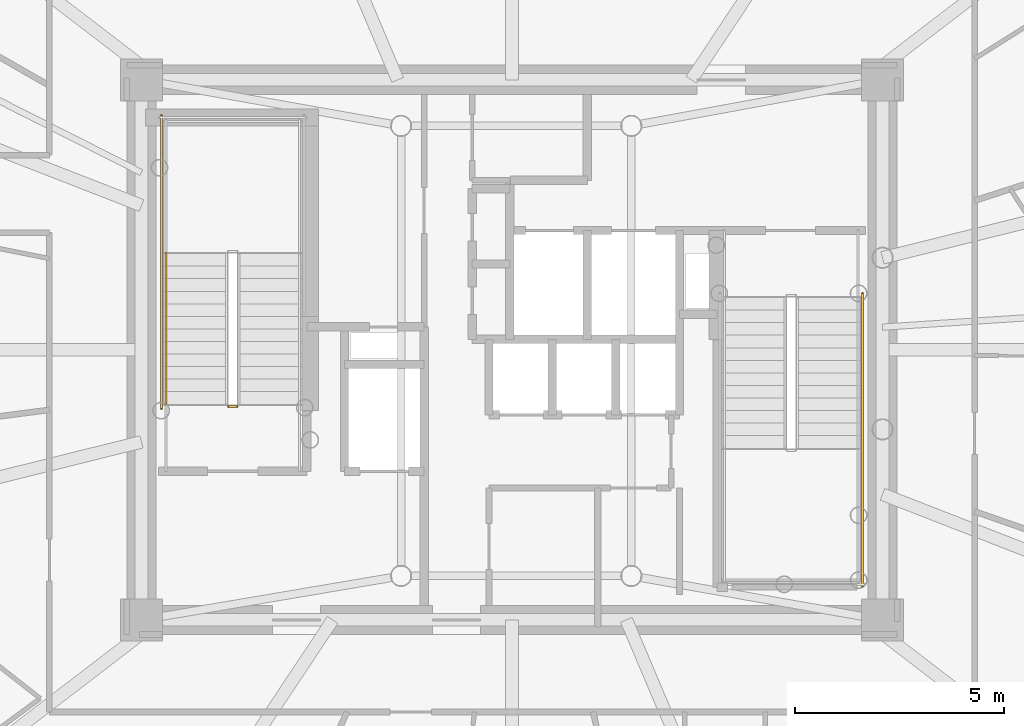
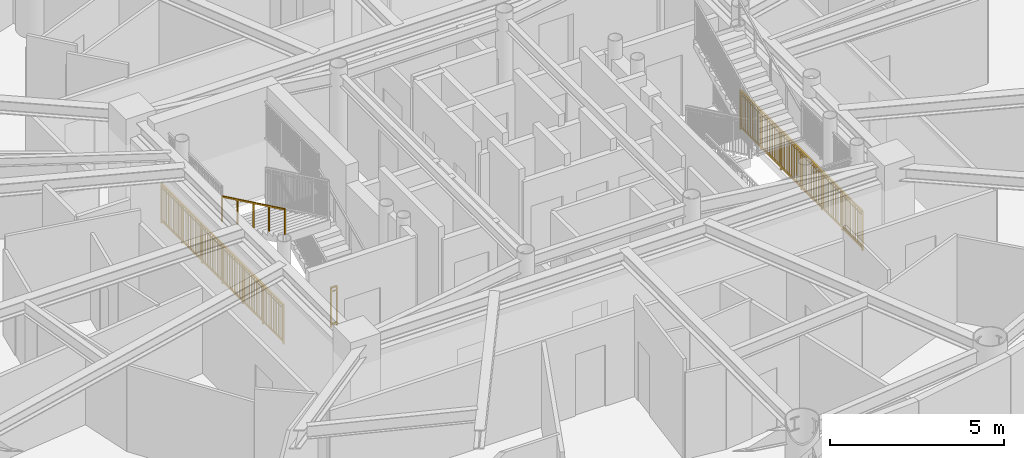
# One storey, part 13 of 18: 4 railings.
"""IFC4 building model written with IfcOpenShell, lengths in metres."""

import ifcopenshell
import ifcopenshell.guid

model = None  # the IFC model being written
_history = None  # IfcOwnerHistory: only IFC2X3 demands one
_inside = {}  # id of a spatial element -> (the spatial element, [elements in it])
_under = {}  # id of a project, library or spatial element -> (it, [spatial elements below it])
_declared = {}  # id of a project -> (the project, [libraries it declares])
_typed = {}  # id of a type object -> (the type object, [elements of that type])
_made_of = {}  # id of a material, layer set ... -> (it, [elements and type objects made of it])


def new_model(schema):
    """Start an empty IFC model of exactly this schema.

    Asked for "IFC4X3", IfcOpenShell would pick the latest addendum, in which some entities
    have other attributes; the version numbers below select the first issue.
    IFC2X3 requires an IfcOwnerHistory on every rooted entity: one is made here for all.
    """
    global model, _history
    if schema == "IFC4X3":
        model = ifcopenshell.file(schema_version=(4, 3, 0, 0))
    else:
        model = ifcopenshell.file(schema=schema)
    _inside.clear()
    _under.clear()
    _declared.clear()
    _typed.clear()
    _made_of.clear()
    _history = None
    if model.schema == "IFC2X3":
        org = make("IfcOrganization", Name="unknown")
        user = make(
            "IfcPersonAndOrganization",
            ThePerson=make("IfcPerson", FamilyName="unknown"),
            TheOrganization=org,
        )
        app = make(
            "IfcApplication",
            ApplicationDeveloper=org,
            Version="unknown",
            ApplicationFullName="unknown",
            ApplicationIdentifier="unknown",
        )
        _history = make(
            "IfcOwnerHistory",
            OwningUser=user,
            OwningApplication=app,
            ChangeAction="ADDED",
            CreationDate=0,
        )
    return model


def make(cls, **values):
    """One entity of the class cls with the attributes given. An attribute that is None is left unset."""
    return model.create_entity(
        cls, **{name: value for name, value in values.items() if value is not None}
    )


def rooted(cls, **values):
    """An entity with a GlobalId (a new one), such as an element, a storey or a relation."""
    return make(cls, GlobalId=ifcopenshell.guid.new(), OwnerHistory=_history, **values)


def si_unit(unit_type, name, prefix=None):
    """IfcSIUnit, for example si_unit("LENGTHUNIT", "METRE", prefix="MILLI")."""
    return make("IfcSIUnit", UnitType=unit_type, Prefix=prefix, Name=name)


def assignment(units):
    """IfcUnitAssignment: the units of a project."""
    return None if units is None else make("IfcUnitAssignment", Units=units)


def point(xyz):
    """IfcCartesianPoint."""
    return None if xyz is None else make("IfcCartesianPoint", Coordinates=xyz)


def direction(xyz):
    """IfcDirection."""
    return None if xyz is None else make("IfcDirection", DirectionRatios=xyz)


def frame(location, z_axis=None, x_axis=None):
    """IfcAxis2Placement3D, a coordinate frame: its origin and axes. An axis left out is left unset."""
    return make(
        "IfcAxis2Placement3D",
        Location=point(location),
        Axis=direction(z_axis),
        RefDirection=direction(x_axis),
    )


def frame_2d(location, x_axis=None):
    """IfcAxis2Placement2D, a coordinate frame in the plane: its origin and x axis."""
    return make(
        "IfcAxis2Placement2D", Location=point(location), RefDirection=direction(x_axis)
    )


def origin():
    """The frame at (0, 0, 0) with its axes left unset."""
    return frame((0.0, 0.0, 0.0))


def origin_2d():
    """The frame at (0, 0) in the plane with its x axis left unset."""
    return frame_2d((0.0, 0.0))


def place(relative_to, where):
    """IfcLocalPlacement: puts the frame where relative to a parent placement (None: the world)."""
    return make(
        "IfcLocalPlacement", PlacementRelTo=relative_to, RelativePlacement=where
    )


def context(
    kind, dimensions, precision=None, world=None, true_north=None, identifier=None
):
    """IfcGeometricRepresentationContext, for example the 3D "Model" context."""
    return make(
        "IfcGeometricRepresentationContext",
        ContextIdentifier=identifier,
        ContextType=kind,
        CoordinateSpaceDimension=dimensions,
        Precision=precision,
        WorldCoordinateSystem=world,
        TrueNorth=true_north,
    )


def subcontext(parent, identifier, kind, view, scale=None):
    """IfcGeometricRepresentationSubContext, for example "Body" below "Model"."""
    return make(
        "IfcGeometricRepresentationSubContext",
        ContextIdentifier=identifier,
        ContextType=kind,
        ParentContext=parent,
        TargetScale=scale,
        TargetView=view,
    )


def project(units=None, contexts=None):
    """IfcProject with its units and contexts."""
    return rooted(
        "IfcProject",
        Name="project",
        RepresentationContexts=contexts,
        UnitsInContext=assignment(units),
    )


def spatial(cls, under=None, at=None, **own):
    """A site, building, storey or space (cls), placed at a placement, below another one or the project."""
    s = rooted(cls, ObjectPlacement=at, **own)
    if under is not None:
        _under.setdefault(under.id(), (under, []))[1].append(s)
    return s


def profile(cls, at=None, kind="AREA", **sizes):
    """A parametric profile (cls). Its sizes go by their IFC names, for example OverallWidth=200.0."""
    return make(cls, ProfileType=kind, Position=at, **sizes)


def rectangle(**sizes):
    """IfcRectangleProfileDef."""
    return profile("IfcRectangleProfileDef", **sizes)


def extrude(swept, where, along, depth):
    """IfcExtrudedAreaSolid: the profile swept, set in the frame where, extruded along a direction by depth."""
    return make(
        "IfcExtrudedAreaSolid",
        SweptArea=swept,
        Position=where,
        ExtrudedDirection=direction(along),
        Depth=depth,
    )


def shape(context_of_items, identifier, shape_type, items):
    """IfcShapeRepresentation: the items that make up one representation, for example the "Body"."""
    return make(
        "IfcShapeRepresentation",
        ContextOfItems=context_of_items,
        RepresentationIdentifier=identifier,
        RepresentationType=shape_type,
        Items=items,
    )


def source(mapping_origin, context_of_items, identifier, shape_type, items):
    """IfcRepresentationMap: a shape defined once, which mapped items show again and again."""
    return make(
        "IfcRepresentationMap",
        MappingOrigin=mapping_origin,
        MappedRepresentation=shape(context_of_items, identifier, shape_type, items),
    )


def transform(
    local_origin,
    x_axis=None,
    y_axis=None,
    z_axis=None,
    scale=None,
    scale2=None,
    scale3=None,
    uniform=True,
):
    """IfcCartesianTransformationOperator3D, or its non-uniform kind. x_axis, y_axis, z_axis: its Axis1, 2, 3."""
    if uniform:
        return make(
            "IfcCartesianTransformationOperator3D",
            Axis1=direction(x_axis),
            Axis2=direction(y_axis),
            LocalOrigin=point(local_origin),
            Scale=scale,
            Axis3=direction(z_axis),
        )
    return make(
        "IfcCartesianTransformationOperator3DnonUniform",
        Axis1=direction(x_axis),
        Axis2=direction(y_axis),
        LocalOrigin=point(local_origin),
        Scale=scale,
        Axis3=direction(z_axis),
        Scale2=scale2,
        Scale3=scale3,
    )


def mapped(mapping_source, mapping_target):
    """IfcMappedItem: shows the shape of a source again, moved by a transform."""
    return make(
        "IfcMappedItem", MappingSource=mapping_source, MappingTarget=mapping_target
    )


def material(Name=None, Category=None):
    """IfcMaterial."""
    return make("IfcMaterial", Name=Name, Category=Category)


def made_of(thing, what):
    """Note that an element or type object is made of a material, layer set ...; save() writes the relation."""
    if what is not None:
        _made_of.setdefault(what.id(), (what, []))[1].append(thing)
    return thing


def type_object(cls, material=None, **own):
    """A type object (cls), such as IfcWallType, which elements share."""
    return made_of(rooted(cls, **own), material)


def element(
    cls,
    number,
    at=None,
    inside=None,
    cuts=None,
    type_object=None,
    material=None,
    context=None,
    identifier="Body",
    shape_type=None,
    held_by="IfcProductDefinitionShape",
    body=None,
    shapes=None,
    **own,
):
    """One element of the class cls, such as IfcWall. Its Tag is "e" and its number.

    at: its placement. inside: the storey or other place that contains it. cuts: it is an
    opening in that element (IfcRelVoidsElement). A single representation is given by context,
    identifier, shape_type and body (its items); several are given by shapes. held_by: the class
    of the entity that holds the representations. save() writes the other relations.
    """
    e = rooted(cls, Tag="e%d" % number, ObjectPlacement=at, **own)
    if body is not None:
        shapes = [shape(context, identifier, shape_type, body)]
    if shapes is not None:
        e.Representation = make(held_by, Representations=shapes)
    if inside is not None:
        _inside.setdefault(inside.id(), (inside, []))[1].append(e)
    if cuts is not None:
        rooted(
            "IfcRelVoidsElement", RelatingBuildingElement=cuts, RelatedOpeningElement=e
        )
    if type_object is not None:
        _typed.setdefault(type_object.id(), (type_object, []))[1].append(e)
    return made_of(e, material)


def aggregate(whole, parts):
    """IfcRelAggregates: a whole, such as a stair, and the parts it consists of."""
    return rooted("IfcRelAggregates", RelatingObject=whole, RelatedObjects=parts)


def save(model, path):
    """Write the relations noted so far, then the file.

    IfcRelAggregates (storeys below a building ...), IfcRelContainedInSpatialStructure (elements
    in a storey), IfcRelDefinesByType, IfcRelAssociatesMaterial and IfcRelDeclares: one each for
    every whole, place, type object, material and project.
    """
    for whole, parts in _under.values():
        aggregate(whole, parts)
    for where, things in _inside.values():
        rooted(
            "IfcRelContainedInSpatialStructure",
            RelatedElements=things,
            RelatingStructure=where,
        )
    for kind, things in _typed.values():
        rooted("IfcRelDefinesByType", RelatedObjects=things, RelatingType=kind)
    for what, things in _made_of.values():
        rooted("IfcRelAssociatesMaterial", RelatedObjects=things, RelatingMaterial=what)
    for by, libraries in _declared.values():
        rooted("IfcRelDeclares", RelatingContext=by, RelatedDefinitions=libraries)
    model.write(path)


model = new_model("IFC4")

# Units and contexts
model_context = context("Model", 3, precision=1e-05, world=origin(), true_north=direction((0.0, 1.0)))
body_context = subcontext(model_context, "Body", "Model", "MODEL_VIEW")
ifc_project = project(units=[si_unit("LENGTHUNIT", "METRE"), si_unit("AREAUNIT", "SQUARE_METRE"), si_unit("VOLUMEUNIT", "CUBIC_METRE"), si_unit("PLANEANGLEUNIT", "RADIAN"), si_unit("MASSUNIT", "GRAM", prefix="KILO")], contexts=[model_context])

# Site, building, storey
site_placement = place(None, origin())
site = spatial("IfcSite", under=ifc_project, at=site_placement, CompositionType="ELEMENT")
building_placement = place(site_placement, origin())
building = spatial("IfcBuilding", under=site, at=building_placement, Name="Linh Dai School and Residence Tower", CompositionType="ELEMENT")
storey_placement = place(building_placement, frame((0.0, 0.0, 295.5)))
storey = spatial("IfcBuildingStorey", under=building, at=storey_placement, Name="L73", CompositionType="ELEMENT", Elevation=295.5)

# Railings
ifc_material_1 = material(Name="Structural Steel S355JR", Category="steel")
railing_type_1 = type_object("IfcRailingType", Name="RL-ST-GUARD-1400", PredefinedType="GUARDRAIL", material=ifc_material_1)
shared_shape_1 = source(origin(), body_context, "Body", "SweptSolid", [
    extrude(rectangle(XDim=0.048095703125, YDim=0.048095703125, at=origin_2d()), frame((0.0, 0.0, 1.3759765625), z_axis=(-1.0, 0.0, 0.0), x_axis=(0.0, -1.0, 0.0)), (0.0, 0.0, 1.0), 0.199951171875),
    extrude(rectangle(XDim=0.048095703125, YDim=0.048095703125, at=origin_2d()), frame((0.0, 0.0, 0.10009765625), z_axis=(-1.0, 0.0, 0.0), x_axis=(0.0, -1.0, 0.0)), (0.0, 0.0, 1.0), 0.199951171875),
    extrude(rectangle(XDim=0.030029296875, YDim=0.030029296875, at=origin_2d()), frame((0.0, 0.0, 1.239990234375), z_axis=(-1.0, 0.0, 0.0), x_axis=(0.0, -1.0, 0.0)), (0.0, 0.0, 1.0), 0.199951171875),
    extrude(rectangle(XDim=0.0419921875, YDim=0.0419921875, at=origin_2d()), origin(), (0.0, 0.0, 1.0), 1.3759765625),
    extrude(rectangle(XDim=0.0419921875, YDim=0.0419921875, at=origin_2d()), frame((-0.199951171875, 0.0, 0.0)), (0.0, 0.0, 1.0), 1.3759765625),
])
railing_1_placement = place(storey_placement, frame((29.429931640625, 25.64990234375, 0.0)))
element("IfcRailing", 1, at=railing_1_placement, inside=storey, type_object=railing_type_1, Name="L73 ST1 stair guard 7", PredefinedType="GUARDRAIL", context=body_context, shape_type="MappedRepresentation", body=[
    mapped(shared_shape_1, transform((0.0, 0.0, 0.0), x_axis=(1.0, 0.0, 0.0), y_axis=(0.0, 1.0, 0.0), z_axis=(0.0, 0.0, 1.0), scale=1.0)),
])
shared_shape_2 = source(origin(), body_context, "Body", "SweptSolid", [
    extrude(rectangle(XDim=0.048095703125, YDim=0.048095703125, at=origin_2d()), frame((0.0, 0.0, 1.3759765625), z_axis=(0.0, 1.0, 0.0), x_axis=(-1.0, 0.0, 0.0)), (0.0, 0.0, 1.0), 7.0),
    extrude(rectangle(XDim=0.048095703125, YDim=0.048095703125, at=origin_2d()), frame((0.0, 0.0, 0.10009765625), z_axis=(0.0, 1.0, 0.0), x_axis=(-1.0, 0.0, 0.0)), (0.0, 0.0, 1.0), 7.0),
    extrude(rectangle(XDim=0.030029296875, YDim=0.030029296875, at=origin_2d()), frame((0.0, 0.0, 1.239990234375), z_axis=(0.0, 1.0, 0.0), x_axis=(-1.0, 0.0, 0.0)), (0.0, 0.0, 1.0), 7.0),
    extrude(rectangle(XDim=0.02001953125, YDim=0.02001953125, at=origin_2d()), frame((0.0, 0.09716796875, 0.10009765625)), (0.0, 0.0, 1.0), 1.251708984375),
    extrude(rectangle(XDim=0.02001953125, YDim=0.02001953125, at=origin_2d()), frame((0.0, 0.1943359375, 0.10009765625)), (0.0, 0.0, 1.0), 1.251708984375),
    extrude(rectangle(XDim=0.02001953125, YDim=0.02001953125, at=origin_2d()), frame((0.0, 0.291748046875, 0.10009765625)), (0.0, 0.0, 1.0), 1.251708984375),
    extrude(rectangle(XDim=0.02001953125, YDim=0.02001953125, at=origin_2d()), frame((0.0, 0.388916015625, 0.10009765625)), (0.0, 0.0, 1.0), 1.251708984375),
    extrude(rectangle(XDim=0.02001953125, YDim=0.02001953125, at=origin_2d()), frame((0.0, 0.486083984375, 0.10009765625)), (0.0, 0.0, 1.0), 1.251708984375),
    extrude(rectangle(XDim=0.02001953125, YDim=0.02001953125, at=origin_2d()), frame((0.0, 0.583251953125, 0.10009765625)), (0.0, 0.0, 1.0), 1.251708984375),
    extrude(rectangle(XDim=0.02001953125, YDim=0.02001953125, at=origin_2d()), frame((0.0, 0.6806640625, 0.10009765625)), (0.0, 0.0, 1.0), 1.251708984375),
    extrude(rectangle(XDim=0.02001953125, YDim=0.02001953125, at=origin_2d()), frame((0.0, 0.77783203125, 0.10009765625)), (0.0, 0.0, 1.0), 1.251708984375),
    extrude(rectangle(XDim=0.02001953125, YDim=0.02001953125, at=origin_2d()), frame((0.0, 0.875, 0.10009765625)), (0.0, 0.0, 1.0), 1.251708984375),
    extrude(rectangle(XDim=0.02001953125, YDim=0.02001953125, at=origin_2d()), frame((0.0, 0.97216796875, 0.10009765625)), (0.0, 0.0, 1.0), 1.251708984375),
    extrude(rectangle(XDim=0.02001953125, YDim=0.02001953125, at=origin_2d()), frame((0.0, 1.0693359375, 0.10009765625)), (0.0, 0.0, 1.0), 1.251708984375),
    extrude(rectangle(XDim=0.02001953125, YDim=0.02001953125, at=origin_2d()), frame((0.0, 1.263916015625, 0.10009765625)), (0.0, 0.0, 1.0), 1.251708984375),
    extrude(rectangle(XDim=0.02001953125, YDim=0.02001953125, at=origin_2d()), frame((0.0, 1.361083984375, 0.10009765625)), (0.0, 0.0, 1.0), 1.251708984375),
    extrude(rectangle(XDim=0.02001953125, YDim=0.02001953125, at=origin_2d()), frame((0.0, 1.458251953125, 0.10009765625)), (0.0, 0.0, 1.0), 1.251708984375),
    extrude(rectangle(XDim=0.02001953125, YDim=0.02001953125, at=origin_2d()), frame((0.0, 1.5556640625, 0.10009765625)), (0.0, 0.0, 1.0), 1.251708984375),
    extrude(rectangle(XDim=0.02001953125, YDim=0.02001953125, at=origin_2d()), frame((0.0, 1.65283203125, 0.10009765625)), (0.0, 0.0, 1.0), 1.251708984375),
    extrude(rectangle(XDim=0.02001953125, YDim=0.02001953125, at=origin_2d()), frame((0.0, 1.75, 0.10009765625)), (0.0, 0.0, 1.0), 1.251708984375),
    extrude(rectangle(XDim=0.02001953125, YDim=0.02001953125, at=origin_2d()), frame((0.0, 1.84716796875, 0.10009765625)), (0.0, 0.0, 1.0), 1.251708984375),
    extrude(rectangle(XDim=0.02001953125, YDim=0.02001953125, at=origin_2d()), frame((0.0, 1.9443359375, 0.10009765625)), (0.0, 0.0, 1.0), 1.251708984375),
    extrude(rectangle(XDim=0.02001953125, YDim=0.02001953125, at=origin_2d()), frame((0.0, 2.041748046875, 0.10009765625)), (0.0, 0.0, 1.0), 1.251708984375),
    extrude(rectangle(XDim=0.02001953125, YDim=0.02001953125, at=origin_2d()), frame((0.0, 2.138916015625, 0.10009765625)), (0.0, 0.0, 1.0), 1.251708984375),
    extrude(rectangle(XDim=0.02001953125, YDim=0.02001953125, at=origin_2d()), frame((0.0, 2.236083984375, 0.10009765625)), (0.0, 0.0, 1.0), 1.251708984375),
    extrude(rectangle(XDim=0.02001953125, YDim=0.02001953125, at=origin_2d()), frame((0.0, 2.4306640625, 0.10009765625)), (0.0, 0.0, 1.0), 1.251708984375),
    extrude(rectangle(XDim=0.02001953125, YDim=0.02001953125, at=origin_2d()), frame((0.0, 2.52783203125, 0.10009765625)), (0.0, 0.0, 1.0), 1.251708984375),
    extrude(rectangle(XDim=0.02001953125, YDim=0.02001953125, at=origin_2d()), frame((0.0, 2.625, 0.10009765625)), (0.0, 0.0, 1.0), 1.251708984375),
    extrude(rectangle(XDim=0.02001953125, YDim=0.02001953125, at=origin_2d()), frame((0.0, 2.72216796875, 0.10009765625)), (0.0, 0.0, 1.0), 1.251708984375),
    extrude(rectangle(XDim=0.02001953125, YDim=0.02001953125, at=origin_2d()), frame((0.0, 2.8193359375, 0.10009765625)), (0.0, 0.0, 1.0), 1.251708984375),
    extrude(rectangle(XDim=0.02001953125, YDim=0.02001953125, at=origin_2d()), frame((0.0, 2.916748046875, 0.10009765625)), (0.0, 0.0, 1.0), 1.251708984375),
    extrude(rectangle(XDim=0.02001953125, YDim=0.02001953125, at=origin_2d()), frame((0.0, 3.013916015625, 0.10009765625)), (0.0, 0.0, 1.0), 1.251708984375),
    extrude(rectangle(XDim=0.02001953125, YDim=0.02001953125, at=origin_2d()), frame((0.0, 3.111083984375, 0.10009765625)), (0.0, 0.0, 1.0), 1.251708984375),
    extrude(rectangle(XDim=0.02001953125, YDim=0.02001953125, at=origin_2d()), frame((0.0, 3.208251953125, 0.10009765625)), (0.0, 0.0, 1.0), 1.251708984375),
    extrude(rectangle(XDim=0.02001953125, YDim=0.02001953125, at=origin_2d()), frame((0.0, 3.3056640625, 0.10009765625)), (0.0, 0.0, 1.0), 1.251708984375),
    extrude(rectangle(XDim=0.02001953125, YDim=0.02001953125, at=origin_2d()), frame((0.0, 3.40283203125, 0.10009765625)), (0.0, 0.0, 1.0), 1.251708984375),
    extrude(rectangle(XDim=0.02001953125, YDim=0.02001953125, at=origin_2d()), frame((0.0, 3.59716796875, 0.10009765625)), (0.0, 0.0, 1.0), 1.251708984375),
    extrude(rectangle(XDim=0.02001953125, YDim=0.02001953125, at=origin_2d()), frame((0.0, 3.6943359375, 0.10009765625)), (0.0, 0.0, 1.0), 1.251708984375),
    extrude(rectangle(XDim=0.02001953125, YDim=0.02001953125, at=origin_2d()), frame((0.0, 3.791748046875, 0.10009765625)), (0.0, 0.0, 1.0), 1.251708984375),
    extrude(rectangle(XDim=0.02001953125, YDim=0.02001953125, at=origin_2d()), frame((0.0, 3.888916015625, 0.10009765625)), (0.0, 0.0, 1.0), 1.251708984375),
    extrude(rectangle(XDim=0.02001953125, YDim=0.02001953125, at=origin_2d()), frame((0.0, 3.986083984375, 0.10009765625)), (0.0, 0.0, 1.0), 1.251708984375),
    extrude(rectangle(XDim=0.02001953125, YDim=0.02001953125, at=origin_2d()), frame((0.0, 4.083251953125, 0.10009765625)), (0.0, 0.0, 1.0), 1.251708984375),
    extrude(rectangle(XDim=0.02001953125, YDim=0.02001953125, at=origin_2d()), frame((0.0, 4.1806640625, 0.10009765625)), (0.0, 0.0, 1.0), 1.251708984375),
    extrude(rectangle(XDim=0.02001953125, YDim=0.02001953125, at=origin_2d()), frame((0.0, 4.27783203125, 0.10009765625)), (0.0, 0.0, 1.0), 1.251708984375),
    extrude(rectangle(XDim=0.02001953125, YDim=0.02001953125, at=origin_2d()), frame((0.0, 4.375, 0.10009765625)), (0.0, 0.0, 1.0), 1.251708984375),
    extrude(rectangle(XDim=0.02001953125, YDim=0.02001953125, at=origin_2d()), frame((0.0, 4.47216796875, 0.10009765625)), (0.0, 0.0, 1.0), 1.251708984375),
    extrude(rectangle(XDim=0.02001953125, YDim=0.02001953125, at=origin_2d()), frame((0.0, 4.5693359375, 0.10009765625)), (0.0, 0.0, 1.0), 1.251708984375),
    extrude(rectangle(XDim=0.02001953125, YDim=0.02001953125, at=origin_2d()), frame((0.0, 4.763916015625, 0.10009765625)), (0.0, 0.0, 1.0), 1.251708984375),
    extrude(rectangle(XDim=0.02001953125, YDim=0.02001953125, at=origin_2d()), frame((0.0, 4.861083984375, 0.10009765625)), (0.0, 0.0, 1.0), 1.251708984375),
    extrude(rectangle(XDim=0.02001953125, YDim=0.02001953125, at=origin_2d()), frame((0.0, 4.958251953125, 0.10009765625)), (0.0, 0.0, 1.0), 1.251708984375),
    extrude(rectangle(XDim=0.02001953125, YDim=0.02001953125, at=origin_2d()), frame((0.0, 5.0556640625, 0.10009765625)), (0.0, 0.0, 1.0), 1.251708984375),
    extrude(rectangle(XDim=0.02001953125, YDim=0.02001953125, at=origin_2d()), frame((0.0, 5.15283203125, 0.10009765625)), (0.0, 0.0, 1.0), 1.251708984375),
    extrude(rectangle(XDim=0.02001953125, YDim=0.02001953125, at=origin_2d()), frame((0.0, 5.25, 0.10009765625)), (0.0, 0.0, 1.0), 1.251708984375),
    extrude(rectangle(XDim=0.02001953125, YDim=0.02001953125, at=origin_2d()), frame((0.0, 5.34716796875, 0.10009765625)), (0.0, 0.0, 1.0), 1.251708984375),
    extrude(rectangle(XDim=0.02001953125, YDim=0.02001953125, at=origin_2d()), frame((0.0, 5.4443359375, 0.10009765625)), (0.0, 0.0, 1.0), 1.251708984375),
    extrude(rectangle(XDim=0.02001953125, YDim=0.02001953125, at=origin_2d()), frame((0.0, 5.541748046875, 0.10009765625)), (0.0, 0.0, 1.0), 1.251708984375),
    extrude(rectangle(XDim=0.02001953125, YDim=0.02001953125, at=origin_2d()), frame((0.0, 5.638916015625, 0.10009765625)), (0.0, 0.0, 1.0), 1.251708984375),
    extrude(rectangle(XDim=0.02001953125, YDim=0.02001953125, at=origin_2d()), frame((0.0, 5.736083984375, 0.10009765625)), (0.0, 0.0, 1.0), 1.251708984375),
    extrude(rectangle(XDim=0.02001953125, YDim=0.02001953125, at=origin_2d()), frame((0.0, 5.9306640625, 0.10009765625)), (0.0, 0.0, 1.0), 1.251708984375),
    extrude(rectangle(XDim=0.02001953125, YDim=0.02001953125, at=origin_2d()), frame((0.0, 6.02783203125, 0.10009765625)), (0.0, 0.0, 1.0), 1.251708984375),
    extrude(rectangle(XDim=0.02001953125, YDim=0.02001953125, at=origin_2d()), frame((0.0, 6.125, 0.10009765625)), (0.0, 0.0, 1.0), 1.251708984375),
    extrude(rectangle(XDim=0.02001953125, YDim=0.02001953125, at=origin_2d()), frame((0.0, 6.22216796875, 0.10009765625)), (0.0, 0.0, 1.0), 1.251708984375),
    extrude(rectangle(XDim=0.02001953125, YDim=0.02001953125, at=origin_2d()), frame((0.0, 6.3193359375, 0.10009765625)), (0.0, 0.0, 1.0), 1.251708984375),
    extrude(rectangle(XDim=0.02001953125, YDim=0.02001953125, at=origin_2d()), frame((0.0, 6.416748046875, 0.10009765625)), (0.0, 0.0, 1.0), 1.251708984375),
    extrude(rectangle(XDim=0.02001953125, YDim=0.02001953125, at=origin_2d()), frame((0.0, 6.513916015625, 0.10009765625)), (0.0, 0.0, 1.0), 1.251708984375),
    extrude(rectangle(XDim=0.02001953125, YDim=0.02001953125, at=origin_2d()), frame((0.0, 6.611083984375, 0.10009765625)), (0.0, 0.0, 1.0), 1.251708984375),
    extrude(rectangle(XDim=0.02001953125, YDim=0.02001953125, at=origin_2d()), frame((0.0, 6.708251953125, 0.10009765625)), (0.0, 0.0, 1.0), 1.251708984375),
    extrude(rectangle(XDim=0.02001953125, YDim=0.02001953125, at=origin_2d()), frame((0.0, 6.8056640625, 0.10009765625)), (0.0, 0.0, 1.0), 1.251708984375),
    extrude(rectangle(XDim=0.02001953125, YDim=0.02001953125, at=origin_2d()), frame((0.0, 6.90283203125, 0.10009765625)), (0.0, 0.0, 1.0), 1.251708984375),
    extrude(rectangle(XDim=0.0419921875, YDim=0.0419921875, at=origin_2d()), origin(), (0.0, 0.0, 1.0), 1.3759765625),
    extrude(rectangle(XDim=0.0419921875, YDim=0.0419921875, at=origin_2d()), frame((0.0, 1.166748046875, 0.0)), (0.0, 0.0, 1.0), 1.3759765625),
    extrude(rectangle(XDim=0.0419921875, YDim=0.0419921875, at=origin_2d()), frame((0.0, 2.333251953125, 0.0)), (0.0, 0.0, 1.0), 1.3759765625),
    extrude(rectangle(XDim=0.0419921875, YDim=0.0419921875, at=origin_2d()), frame((0.0, 3.5, 0.0)), (0.0, 0.0, 1.0), 1.3759765625),
    extrude(rectangle(XDim=0.0419921875, YDim=0.0419921875, at=origin_2d()), frame((0.0, 4.666748046875, 0.0)), (0.0, 0.0, 1.0), 1.3759765625),
    extrude(rectangle(XDim=0.0419921875, YDim=0.0419921875, at=origin_2d()), frame((0.0, 5.833251953125, 0.0)), (0.0, 0.0, 1.0), 1.3759765625),
    extrude(rectangle(XDim=0.0419921875, YDim=0.0419921875, at=origin_2d()), frame((0.0, 7.0, 0.0)), (0.0, 0.0, 1.0), 1.3759765625),
])
railing_2_placement = place(storey_placement, frame((27.6298828125, 25.60009765625, 0.0)))
element("IfcRailing", 2, at=railing_2_placement, inside=storey, type_object=railing_type_1, Name="L73 ST1 stair guard 11", PredefinedType="GUARDRAIL", context=body_context, shape_type="MappedRepresentation", body=[
    mapped(shared_shape_2, transform((0.0, 0.0, 0.0), x_axis=(1.0, 0.0, 0.0), y_axis=(0.0, 1.0, 0.0), z_axis=(0.0, 0.0, 1.0), scale=1.0)),
])
ifc_material_2 = material(Name="Brushed Stainless Steel Handrail", Category="steel")
railing_type_2 = type_object("IfcRailingType", Name="RL-ST-HANDRAIL-900", PredefinedType="HANDRAIL", material=ifc_material_2)
shared_shape_3 = source(origin(), body_context, "Body", "SweptSolid", [
    extrude(rectangle(XDim=0.048095703125, YDim=0.048095703125, at=origin_2d()), frame((0.0, 0.0, 0.8759765625), z_axis=(0.0, -0.901262522062, 0.433273431364), x_axis=(1.0, 0.0, 0.0)), (0.0, 0.0, 1.0), 3.994384765625),
    extrude(rectangle(XDim=0.0419921875, YDim=0.0419921875, at=origin_2d()), origin(), (0.0, 0.0, 1.0), 0.8759765625),
    extrude(rectangle(XDim=0.0419921875, YDim=0.0419921875, at=origin_2d()), frame((0.0, -0.89990234375, 0.4326171875)), (0.0, 0.0, 1.0), 0.8759765625),
    extrude(rectangle(XDim=0.0419921875, YDim=0.0419921875, at=origin_2d()), frame((0.0, -1.800048828125, 0.865234375)), (0.0, 0.0, 1.0), 0.8759765625),
    extrude(rectangle(XDim=0.0419921875, YDim=0.0419921875, at=origin_2d()), frame((0.0, -2.7001953125, 1.298095703125)), (0.0, 0.0, 1.0), 0.8759765625),
    extrude(rectangle(XDim=0.0419921875, YDim=0.0419921875, at=origin_2d()), frame((0.0, -3.60009765625, 1.730712890625)), (0.0, 0.0, 1.0), 0.8759765625),
])
railing_3_placement = place(storey_placement, frame((27.72998046875, 29.300048828125, 2.019287109375)))
element("IfcRailing", 3, at=railing_3_placement, inside=storey, type_object=railing_type_2, Name="L73 ST1 stair handrail 2", PredefinedType="HANDRAIL", context=body_context, shape_type="MappedRepresentation", body=[
    mapped(shared_shape_3, transform((0.0, 0.0, 0.0), x_axis=(1.0, 0.0, 0.0), y_axis=(0.0, 1.0, 0.0), z_axis=(0.0, 0.0, 1.0), scale=1.0)),
])
shared_shape_4 = source(origin(), body_context, "Body", "SweptSolid", [
    extrude(rectangle(XDim=0.048095703125, YDim=0.048095703125, at=origin_2d()), frame((0.0, 0.0, 1.3759765625), z_axis=(0.0, -1.0, 0.0), x_axis=(1.0, 0.0, 0.0)), (0.0, 0.0, 1.0), 7.0),
    extrude(rectangle(XDim=0.048095703125, YDim=0.048095703125, at=origin_2d()), frame((0.0, 0.0, 0.10009765625), z_axis=(0.0, -1.0, 0.0), x_axis=(1.0, 0.0, 0.0)), (0.0, 0.0, 1.0), 7.0),
    extrude(rectangle(XDim=0.030029296875, YDim=0.030029296875, at=origin_2d()), frame((0.0, 0.0, 1.239990234375), z_axis=(0.0, -1.0, 0.0), x_axis=(1.0, 0.0, 0.0)), (0.0, 0.0, 1.0), 7.0),
    extrude(rectangle(XDim=0.02001953125, YDim=0.02001953125, at=origin_2d()), frame((0.0, -0.09716796875, 0.10009765625)), (0.0, 0.0, 1.0), 1.251708984375),
    extrude(rectangle(XDim=0.02001953125, YDim=0.02001953125, at=origin_2d()), frame((0.0, -0.1943359375, 0.10009765625)), (0.0, 0.0, 1.0), 1.251708984375),
    extrude(rectangle(XDim=0.02001953125, YDim=0.02001953125, at=origin_2d()), frame((0.0, -0.291748046875, 0.10009765625)), (0.0, 0.0, 1.0), 1.251708984375),
    extrude(rectangle(XDim=0.02001953125, YDim=0.02001953125, at=origin_2d()), frame((0.0, -0.388916015625, 0.10009765625)), (0.0, 0.0, 1.0), 1.251708984375),
    extrude(rectangle(XDim=0.02001953125, YDim=0.02001953125, at=origin_2d()), frame((0.0, -0.486083984375, 0.10009765625)), (0.0, 0.0, 1.0), 1.251708984375),
    extrude(rectangle(XDim=0.02001953125, YDim=0.02001953125, at=origin_2d()), frame((0.0, -0.583251953125, 0.10009765625)), (0.0, 0.0, 1.0), 1.251708984375),
    extrude(rectangle(XDim=0.02001953125, YDim=0.02001953125, at=origin_2d()), frame((0.0, -0.6806640625, 0.10009765625)), (0.0, 0.0, 1.0), 1.251708984375),
    extrude(rectangle(XDim=0.02001953125, YDim=0.02001953125, at=origin_2d()), frame((0.0, -0.77783203125, 0.10009765625)), (0.0, 0.0, 1.0), 1.251708984375),
    extrude(rectangle(XDim=0.02001953125, YDim=0.02001953125, at=origin_2d()), frame((0.0, -0.875, 0.10009765625)), (0.0, 0.0, 1.0), 1.251708984375),
    extrude(rectangle(XDim=0.02001953125, YDim=0.02001953125, at=origin_2d()), frame((0.0, -0.97216796875, 0.10009765625)), (0.0, 0.0, 1.0), 1.251708984375),
    extrude(rectangle(XDim=0.02001953125, YDim=0.02001953125, at=origin_2d()), frame((0.0, -1.0693359375, 0.10009765625)), (0.0, 0.0, 1.0), 1.251708984375),
    extrude(rectangle(XDim=0.02001953125, YDim=0.02001953125, at=origin_2d()), frame((0.0, -1.263916015625, 0.10009765625)), (0.0, 0.0, 1.0), 1.251708984375),
    extrude(rectangle(XDim=0.02001953125, YDim=0.02001953125, at=origin_2d()), frame((0.0, -1.361083984375, 0.10009765625)), (0.0, 0.0, 1.0), 1.251708984375),
    extrude(rectangle(XDim=0.02001953125, YDim=0.02001953125, at=origin_2d()), frame((0.0, -1.458251953125, 0.10009765625)), (0.0, 0.0, 1.0), 1.251708984375),
    extrude(rectangle(XDim=0.02001953125, YDim=0.02001953125, at=origin_2d()), frame((0.0, -1.5556640625, 0.10009765625)), (0.0, 0.0, 1.0), 1.251708984375),
    extrude(rectangle(XDim=0.02001953125, YDim=0.02001953125, at=origin_2d()), frame((0.0, -1.65283203125, 0.10009765625)), (0.0, 0.0, 1.0), 1.251708984375),
    extrude(rectangle(XDim=0.02001953125, YDim=0.02001953125, at=origin_2d()), frame((0.0, -1.75, 0.10009765625)), (0.0, 0.0, 1.0), 1.251708984375),
    extrude(rectangle(XDim=0.02001953125, YDim=0.02001953125, at=origin_2d()), frame((0.0, -1.84716796875, 0.10009765625)), (0.0, 0.0, 1.0), 1.251708984375),
    extrude(rectangle(XDim=0.02001953125, YDim=0.02001953125, at=origin_2d()), frame((0.0, -1.9443359375, 0.10009765625)), (0.0, 0.0, 1.0), 1.251708984375),
    extrude(rectangle(XDim=0.02001953125, YDim=0.02001953125, at=origin_2d()), frame((0.0, -2.041748046875, 0.10009765625)), (0.0, 0.0, 1.0), 1.251708984375),
    extrude(rectangle(XDim=0.02001953125, YDim=0.02001953125, at=origin_2d()), frame((0.0, -2.138916015625, 0.10009765625)), (0.0, 0.0, 1.0), 1.251708984375),
    extrude(rectangle(XDim=0.02001953125, YDim=0.02001953125, at=origin_2d()), frame((0.0, -2.236083984375, 0.10009765625)), (0.0, 0.0, 1.0), 1.251708984375),
    extrude(rectangle(XDim=0.02001953125, YDim=0.02001953125, at=origin_2d()), frame((0.0, -2.4306640625, 0.10009765625)), (0.0, 0.0, 1.0), 1.251708984375),
    extrude(rectangle(XDim=0.02001953125, YDim=0.02001953125, at=origin_2d()), frame((0.0, -2.52783203125, 0.10009765625)), (0.0, 0.0, 1.0), 1.251708984375),
    extrude(rectangle(XDim=0.02001953125, YDim=0.02001953125, at=origin_2d()), frame((0.0, -2.625, 0.10009765625)), (0.0, 0.0, 1.0), 1.251708984375),
    extrude(rectangle(XDim=0.02001953125, YDim=0.02001953125, at=origin_2d()), frame((0.0, -2.72216796875, 0.10009765625)), (0.0, 0.0, 1.0), 1.251708984375),
    extrude(rectangle(XDim=0.02001953125, YDim=0.02001953125, at=origin_2d()), frame((0.0, -2.8193359375, 0.10009765625)), (0.0, 0.0, 1.0), 1.251708984375),
    extrude(rectangle(XDim=0.02001953125, YDim=0.02001953125, at=origin_2d()), frame((0.0, -2.916748046875, 0.10009765625)), (0.0, 0.0, 1.0), 1.251708984375),
    extrude(rectangle(XDim=0.02001953125, YDim=0.02001953125, at=origin_2d()), frame((0.0, -3.013916015625, 0.10009765625)), (0.0, 0.0, 1.0), 1.251708984375),
    extrude(rectangle(XDim=0.02001953125, YDim=0.02001953125, at=origin_2d()), frame((0.0, -3.111083984375, 0.10009765625)), (0.0, 0.0, 1.0), 1.251708984375),
    extrude(rectangle(XDim=0.02001953125, YDim=0.02001953125, at=origin_2d()), frame((0.0, -3.208251953125, 0.10009765625)), (0.0, 0.0, 1.0), 1.251708984375),
    extrude(rectangle(XDim=0.02001953125, YDim=0.02001953125, at=origin_2d()), frame((0.0, -3.3056640625, 0.10009765625)), (0.0, 0.0, 1.0), 1.251708984375),
    extrude(rectangle(XDim=0.02001953125, YDim=0.02001953125, at=origin_2d()), frame((0.0, -3.40283203125, 0.10009765625)), (0.0, 0.0, 1.0), 1.251708984375),
    extrude(rectangle(XDim=0.02001953125, YDim=0.02001953125, at=origin_2d()), frame((0.0, -3.59716796875, 0.10009765625)), (0.0, 0.0, 1.0), 1.251708984375),
    extrude(rectangle(XDim=0.02001953125, YDim=0.02001953125, at=origin_2d()), frame((0.0, -3.6943359375, 0.10009765625)), (0.0, 0.0, 1.0), 1.251708984375),
    extrude(rectangle(XDim=0.02001953125, YDim=0.02001953125, at=origin_2d()), frame((0.0, -3.791748046875, 0.10009765625)), (0.0, 0.0, 1.0), 1.251708984375),
    extrude(rectangle(XDim=0.02001953125, YDim=0.02001953125, at=origin_2d()), frame((0.0, -3.888916015625, 0.10009765625)), (0.0, 0.0, 1.0), 1.251708984375),
    extrude(rectangle(XDim=0.02001953125, YDim=0.02001953125, at=origin_2d()), frame((0.0, -3.986083984375, 0.10009765625)), (0.0, 0.0, 1.0), 1.251708984375),
    extrude(rectangle(XDim=0.02001953125, YDim=0.02001953125, at=origin_2d()), frame((0.0, -4.083251953125, 0.10009765625)), (0.0, 0.0, 1.0), 1.251708984375),
    extrude(rectangle(XDim=0.02001953125, YDim=0.02001953125, at=origin_2d()), frame((0.0, -4.1806640625, 0.10009765625)), (0.0, 0.0, 1.0), 1.251708984375),
    extrude(rectangle(XDim=0.02001953125, YDim=0.02001953125, at=origin_2d()), frame((0.0, -4.27783203125, 0.10009765625)), (0.0, 0.0, 1.0), 1.251708984375),
    extrude(rectangle(XDim=0.02001953125, YDim=0.02001953125, at=origin_2d()), frame((0.0, -4.375, 0.10009765625)), (0.0, 0.0, 1.0), 1.251708984375),
    extrude(rectangle(XDim=0.02001953125, YDim=0.02001953125, at=origin_2d()), frame((0.0, -4.47216796875, 0.10009765625)), (0.0, 0.0, 1.0), 1.251708984375),
    extrude(rectangle(XDim=0.02001953125, YDim=0.02001953125, at=origin_2d()), frame((0.0, -4.5693359375, 0.10009765625)), (0.0, 0.0, 1.0), 1.251708984375),
    extrude(rectangle(XDim=0.02001953125, YDim=0.02001953125, at=origin_2d()), frame((0.0, -4.763916015625, 0.10009765625)), (0.0, 0.0, 1.0), 1.251708984375),
    extrude(rectangle(XDim=0.02001953125, YDim=0.02001953125, at=origin_2d()), frame((0.0, -4.861083984375, 0.10009765625)), (0.0, 0.0, 1.0), 1.251708984375),
    extrude(rectangle(XDim=0.02001953125, YDim=0.02001953125, at=origin_2d()), frame((0.0, -4.958251953125, 0.10009765625)), (0.0, 0.0, 1.0), 1.251708984375),
    extrude(rectangle(XDim=0.02001953125, YDim=0.02001953125, at=origin_2d()), frame((0.0, -5.0556640625, 0.10009765625)), (0.0, 0.0, 1.0), 1.251708984375),
    extrude(rectangle(XDim=0.02001953125, YDim=0.02001953125, at=origin_2d()), frame((0.0, -5.15283203125, 0.10009765625)), (0.0, 0.0, 1.0), 1.251708984375),
    extrude(rectangle(XDim=0.02001953125, YDim=0.02001953125, at=origin_2d()), frame((0.0, -5.25, 0.10009765625)), (0.0, 0.0, 1.0), 1.251708984375),
    extrude(rectangle(XDim=0.02001953125, YDim=0.02001953125, at=origin_2d()), frame((0.0, -5.34716796875, 0.10009765625)), (0.0, 0.0, 1.0), 1.251708984375),
    extrude(rectangle(XDim=0.02001953125, YDim=0.02001953125, at=origin_2d()), frame((0.0, -5.4443359375, 0.10009765625)), (0.0, 0.0, 1.0), 1.251708984375),
    extrude(rectangle(XDim=0.02001953125, YDim=0.02001953125, at=origin_2d()), frame((0.0, -5.541748046875, 0.10009765625)), (0.0, 0.0, 1.0), 1.251708984375),
    extrude(rectangle(XDim=0.02001953125, YDim=0.02001953125, at=origin_2d()), frame((0.0, -5.638916015625, 0.10009765625)), (0.0, 0.0, 1.0), 1.251708984375),
    extrude(rectangle(XDim=0.02001953125, YDim=0.02001953125, at=origin_2d()), frame((0.0, -5.736083984375, 0.10009765625)), (0.0, 0.0, 1.0), 1.251708984375),
    extrude(rectangle(XDim=0.02001953125, YDim=0.02001953125, at=origin_2d()), frame((0.0, -5.9306640625, 0.10009765625)), (0.0, 0.0, 1.0), 1.251708984375),
    extrude(rectangle(XDim=0.02001953125, YDim=0.02001953125, at=origin_2d()), frame((0.0, -6.02783203125, 0.10009765625)), (0.0, 0.0, 1.0), 1.251708984375),
    extrude(rectangle(XDim=0.02001953125, YDim=0.02001953125, at=origin_2d()), frame((0.0, -6.125, 0.10009765625)), (0.0, 0.0, 1.0), 1.251708984375),
    extrude(rectangle(XDim=0.02001953125, YDim=0.02001953125, at=origin_2d()), frame((0.0, -6.22216796875, 0.10009765625)), (0.0, 0.0, 1.0), 1.251708984375),
    extrude(rectangle(XDim=0.02001953125, YDim=0.02001953125, at=origin_2d()), frame((0.0, -6.3193359375, 0.10009765625)), (0.0, 0.0, 1.0), 1.251708984375),
    extrude(rectangle(XDim=0.02001953125, YDim=0.02001953125, at=origin_2d()), frame((0.0, -6.416748046875, 0.10009765625)), (0.0, 0.0, 1.0), 1.251708984375),
    extrude(rectangle(XDim=0.02001953125, YDim=0.02001953125, at=origin_2d()), frame((0.0, -6.513916015625, 0.10009765625)), (0.0, 0.0, 1.0), 1.251708984375),
    extrude(rectangle(XDim=0.02001953125, YDim=0.02001953125, at=origin_2d()), frame((0.0, -6.611083984375, 0.10009765625)), (0.0, 0.0, 1.0), 1.251708984375),
    extrude(rectangle(XDim=0.02001953125, YDim=0.02001953125, at=origin_2d()), frame((0.0, -6.708251953125, 0.10009765625)), (0.0, 0.0, 1.0), 1.251708984375),
    extrude(rectangle(XDim=0.02001953125, YDim=0.02001953125, at=origin_2d()), frame((0.0, -6.8056640625, 0.10009765625)), (0.0, 0.0, 1.0), 1.251708984375),
    extrude(rectangle(XDim=0.02001953125, YDim=0.02001953125, at=origin_2d()), frame((0.0, -6.90283203125, 0.10009765625)), (0.0, 0.0, 1.0), 1.251708984375),
    extrude(rectangle(XDim=0.0419921875, YDim=0.0419921875, at=origin_2d()), origin(), (0.0, 0.0, 1.0), 1.3759765625),
    extrude(rectangle(XDim=0.0419921875, YDim=0.0419921875, at=origin_2d()), frame((0.0, -1.166748046875, 0.0)), (0.0, 0.0, 1.0), 1.3759765625),
    extrude(rectangle(XDim=0.0419921875, YDim=0.0419921875, at=origin_2d()), frame((0.0, -2.333251953125, 0.0)), (0.0, 0.0, 1.0), 1.3759765625),
    extrude(rectangle(XDim=0.0419921875, YDim=0.0419921875, at=origin_2d()), frame((0.0, -3.5, 0.0)), (0.0, 0.0, 1.0), 1.3759765625),
    extrude(rectangle(XDim=0.0419921875, YDim=0.0419921875, at=origin_2d()), frame((0.0, -4.666748046875, 0.0)), (0.0, 0.0, 1.0), 1.3759765625),
    extrude(rectangle(XDim=0.0419921875, YDim=0.0419921875, at=origin_2d()), frame((0.0, -5.833251953125, 0.0)), (0.0, 0.0, 1.0), 1.3759765625),
    extrude(rectangle(XDim=0.0419921875, YDim=0.0419921875, at=origin_2d()), frame((0.0, -7.0, 0.0)), (0.0, 0.0, 1.0), 1.3759765625),
])
railing_4_placement = place(storey_placement, frame((44.3701171875, 28.35009765625, 0.0)))
element("IfcRailing", 4, at=railing_4_placement, inside=storey, type_object=railing_type_1, Name="L73 ST2 stair guard 11", PredefinedType="GUARDRAIL", context=body_context, shape_type="MappedRepresentation", body=[
    mapped(shared_shape_4, transform((0.0, 0.0, 0.0), x_axis=(1.0, 0.0, 0.0), y_axis=(0.0, 1.0, 0.0), z_axis=(0.0, 0.0, 1.0), scale=1.0)),
])

save(model, "model.ifc")
